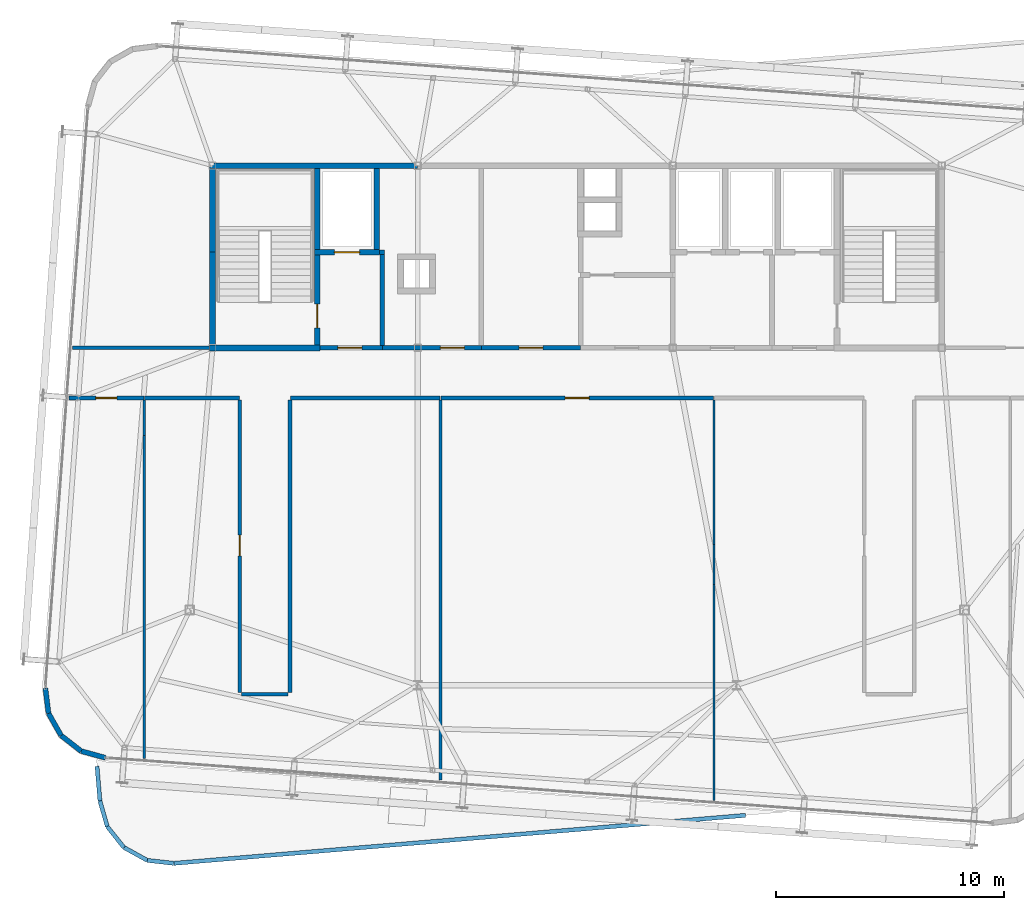
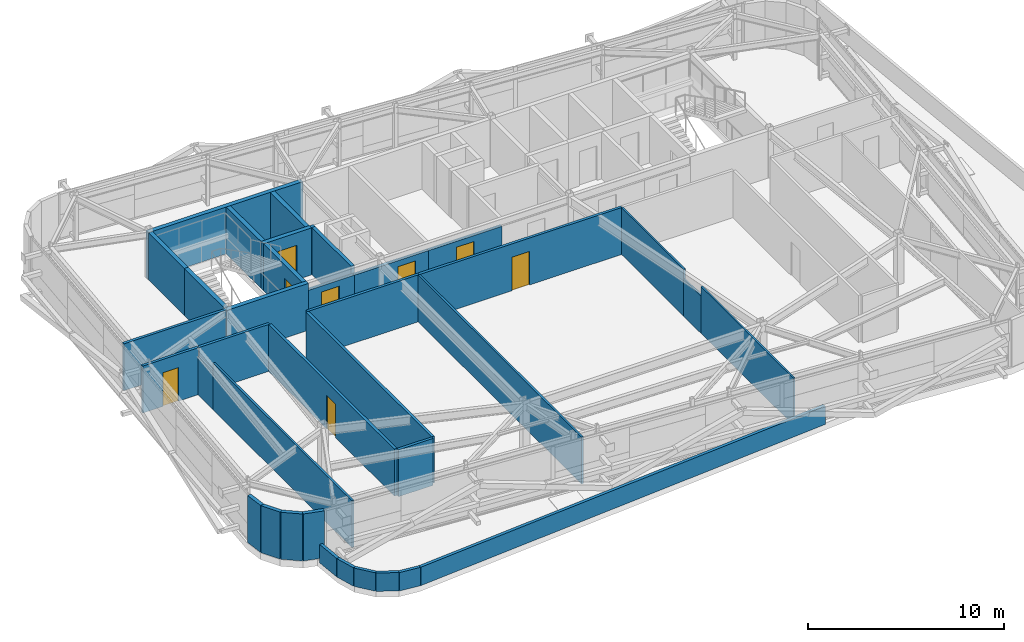
# One storey, part 33 of 37: 37 walls, 8 doors, 8 openings.
"""IFC4 building model written with IfcOpenShell, lengths in metres."""

from ifc_helpers import new_model, si_unit, direction, frame, frame_2d, origin, place, context, subcontext, project, spatial, rectangle, extrude, source, transform, mapped, material, layer, layer_set, type_object, element, fill, save


model = new_model("IFC4")

# Units and contexts
model_context = context("Model", 3, precision=1e-05, world=origin(), true_north=direction((0.0, 1.0)))
body_context = subcontext(model_context, "Body", "Model", "MODEL_VIEW")
ifc_project = project(units=[si_unit("LENGTHUNIT", "METRE"), si_unit("AREAUNIT", "SQUARE_METRE"), si_unit("VOLUMEUNIT", "CUBIC_METRE"), si_unit("PLANEANGLEUNIT", "RADIAN"), si_unit("MASSUNIT", "GRAM", prefix="KILO")], contexts=[model_context])

# Site, building, storey
site_placement = place(None, origin())
site = spatial("IfcSite", under=ifc_project, at=site_placement, CompositionType="ELEMENT")
building_placement = place(site_placement, origin())
building = spatial("IfcBuilding", under=site, at=building_placement, Name="Taldren Reach Tower", CompositionType="ELEMENT")
storey_placement = place(building_placement, frame((0.0, 0.0, 211.39990234375)))
storey = spatial("IfcBuildingStorey", under=building, at=storey_placement, Name="L64", CompositionType="ELEMENT", Elevation=211.39990234375)

# Walls
ifc_material_1 = material(Name="Pale Champagne Anodised Aluminium Cladding", Category="aluminium")
ifc_layer_1 = layer(ifc_material_1, 0.04, Name="Pale Champagne Anodised Aluminium Cladding", Category="aluminium")
ifc_material_2 = material(Name="Mineral Wool Acoustic Insulation", Category="insulation")
ifc_layer_2 = layer(ifc_material_2, 0.06, Name="Mineral Wool Acoustic Insulation", Category="insulation")
ifc_material_3 = material(Name="Steel Gr 350 (C350L0)", Category="steel")
ifc_layer_3 = layer(ifc_material_3, 0.12, Name="Steel Gr 350 (C350L0)", Category="steel")
ifc_layer_set_1 = layer_set([ifc_layer_1, ifc_layer_2, ifc_layer_3], Name="Pale Champagne Aluminium Cladding and Steel Gr 350 Stud Framing")
wall_type_1 = type_object("IfcWallType", Name="EW-CRN-220", PredefinedType="SOLIDWALL", material=ifc_layer_set_1)
shared_shape_1 = source(origin(), body_context, "Body", "SweptSolid", [
    extrude(rectangle(XDim=1.115966796875, YDim=0.219970703125, at=frame_2d((0.55810546875, 0.0))), origin(), (0.0, 0.0, 1.0), 2.93017578125),
])
for number, where, z_axis, x_axis, name in (
    (1, (11.66259765625, 9.072021484375, 0.0), (0.0, 0.0, 1.0), (0.122742076028, -0.992438604032, 0.0), "Rounded-corner pale-metal facade wall L64-SW1"),
    (2, (11.799560546875, 7.964599609375, 0.0), (0.0, 0.0, 1.0), (0.493073284892, -0.869987779067, 0.0), "Rounded-corner pale-metal facade wall L64-SW2"),
    (3, (12.349853515625, 6.99365234375, 0.0), (0.0, 0.0, 1.0), (0.788597772321, -0.614909386406, 0.0), "Rounded-corner pale-metal facade wall L64-SW3"),
):
    element("IfcWall", number, at=place(storey_placement, frame(where, z_axis=z_axis, x_axis=x_axis)), inside=storey, type_object=wall_type_1, Name=name, PredefinedType="SOLIDWALL", context=body_context, shape_type="MappedRepresentation", body=[
        mapped(shared_shape_1, transform((0.0, 0.0, 0.0), scale=1.0)),
    ])
shared_shape_2 = source(origin(), body_context, "Body", "SweptSolid", [
    extrude(rectangle(XDim=1.11572265625, YDim=0.219970703125, at=frame_2d((0.557861328125, 0.0))), origin(), (0.0, 0.0, 1.0), 2.93017578125),
])
wall_1_placement = place(storey_placement, frame((13.22998046875, 6.307373046875, 0.0), z_axis=(0.0, 0.0, 1.0), x_axis=(0.963890028874, -0.266300605026, 0.0)))
element("IfcWall", 4, at=wall_1_placement, inside=storey, type_object=wall_type_1, Name="Rounded-corner pale-metal facade wall L64-SW4", PredefinedType="SOLIDWALL", context=body_context, shape_type="MappedRepresentation", body=[
    mapped(shared_shape_2, transform((0.0, 0.0, 0.0), scale=1.0)),
])
ifc_layer_4 = layer(ifc_material_1, 0.03, Name="Pale Champagne Anodised Aluminium Cladding", Category="aluminium")
ifc_material_4 = material(Name="Concrete N40 (40 MPa)", Category="concrete")
ifc_layer_5 = layer(ifc_material_4, 0.15, Name="Concrete N40 (40 MPa)", Category="concrete")
ifc_layer_set_2 = layer_set([ifc_layer_4, ifc_layer_5], Name="Pale Champagne Aluminium Coping and Concrete 40 MPa (N40) Parapet")
wall_type_2 = type_object("IfcWallType", Name="EW-PAR-180", PredefinedType="PARAPET", material=ifc_layer_set_2)
shared_shape_3 = source(origin(), body_context, "Body", "SweptSolid", [
    extrude(rectangle(XDim=1.17041015625, YDim=0.179931640625, at=frame_2d((0.585205078125, 0.0))), origin(), (0.0, 0.0, 1.0), 1.150146484375),
])
wall_2_placement = place(storey_placement, frame((17.296875, 1.37939453125, 0.0), z_axis=(0.0, 0.0, 1.0), x_axis=(-0.993660444097, 0.112422959565, 0.0)))
element("IfcWall", 5, at=wall_2_placement, inside=storey, type_object=wall_type_2, Name="Setback planter parapet wall L64-2.6", PredefinedType="PARAPET", context=body_context, shape_type="MappedRepresentation", body=[
    mapped(shared_shape_3, transform((0.0, 0.0, 0.0), scale=1.0)),
])
shared_shape_4 = source(origin(), body_context, "Body", "SweptSolid", [
    extrude(rectangle(XDim=1.170654296875, YDim=0.179931640625, at=frame_2d((0.58544921875, 0.0))), origin(), (0.0, 0.0, 1.0), 1.150146484375),
])
for number, where, z_axis, x_axis, name in (
    (6, (16.1337890625, 1.510986328125, 0.0), (0.0, 0.0, 1.0), (-0.875139280249, 0.483871098708, 0.0), "Setback planter parapet wall L64-2.1"),
    (7, (15.109375, 2.077392578125, 0.0), (0.0, 0.0, 1.0), (-0.623167829012, 0.782088138821, 0.0), "Setback planter parapet wall L64-2.2"),
    (8, (14.3798828125, 2.992919921875, 0.0), (0.0, 0.0, 1.0), (-0.276345952673, 0.961058226353, 0.0), "Setback planter parapet wall L64-2.3"),
):
    element("IfcWall", number, at=place(storey_placement, frame(where, z_axis=z_axis, x_axis=x_axis)), inside=storey, type_object=wall_type_2, Name=name, PredefinedType="PARAPET", context=body_context, shape_type="MappedRepresentation", body=[
        mapped(shared_shape_4, transform((0.0, 0.0, 0.0), scale=1.0)),
    ])
shared_shape_5 = source(origin(), body_context, "Body", "SweptSolid", [
    extrude(rectangle(XDim=1.52734375, YDim=0.179931640625, at=frame_2d((0.763671875, 0.0))), origin(), (0.0, 0.0, 1.0), 1.150146484375),
])
wall_3_placement = place(storey_placement, frame((14.056396484375, 4.117919921875, 0.0), z_axis=(0.0, 0.0, 1.0), x_axis=(-0.083759809087, 0.996485972998, 0.0)))
element("IfcWall", 9, at=wall_3_placement, inside=storey, type_object=wall_type_2, Name="Setback planter parapet wall L64-2.4", PredefinedType="PARAPET", context=body_context, shape_type="MappedRepresentation", body=[
    mapped(shared_shape_5, transform((0.0, 0.0, 0.0), scale=1.0)),
])
shared_shape_6 = source(origin(), body_context, "Body", "SweptSolid", [
    extrude(rectangle(XDim=25.181884765625, YDim=0.179931640625, at=frame_2d((12.5908203125, 0.0))), origin(), (0.0, 0.0, 1.0), 1.150146484375),
])
wall_4_placement = place(storey_placement, frame((42.390380859375, 3.486572265625, 0.0), z_axis=(0.0, 0.0, 1.0), x_axis=(-0.996492802382, -0.083678520547, 0.0)))
element("IfcWall", 10, at=wall_4_placement, inside=storey, type_object=wall_type_2, Name="Setback planter parapet wall L64-2.5", PredefinedType="PARAPET", context=body_context, shape_type="MappedRepresentation", body=[
    mapped(shared_shape_6, transform((0.0, 0.0, 0.0), scale=1.0)),
])

# Wall, opening, door
ifc_material_5 = material(Name="Concrete S50 (50 MPa)", Category="concrete")
ifc_layer_6 = layer(ifc_material_5, 0.199951171875)
ifc_layer_set_3 = layer_set([ifc_layer_6], Name="Concrete S50 (50 MPa)")
wall_type_3 = type_object("IfcWallType", Name="IW-CORE-200", PredefinedType="SOLIDWALL", material=ifc_layer_set_3)
shared_shape_7 = source(origin(), body_context, "Body", "SweptSolid", [
    extrude(rectangle(XDim=4.35009765625, YDim=0.199951171875, at=frame_2d((2.175048828125, 0.0))), origin(), (0.0, 0.0, 1.0), 2.47021484375),
])
wall_5_placement = place(storey_placement, frame((30.800048828125, 24.0, 0.0), z_axis=(0.0, 0.0, 1.0), x_axis=(-1.0, 0.0, 0.0)))
wall_5 = element("IfcWall", 11, at=wall_5_placement, inside=storey, type_object=wall_type_3, Name="Rear Core Shear Wall W-INT-L64-033", PredefinedType="SOLIDWALL", context=body_context, shape_type="MappedRepresentation", body=[
    mapped(shared_shape_7, transform((0.0, 0.0, 0.0), scale=1.0)),
])
shared_shape_8 = source(origin(), body_context, "Body", "SweptSolid", [
    extrude(rectangle(XDim=1.050048828125, YDim=2.10009765625, at=frame_2d((0.52490234375, 1.050048828125))), frame((0.0, 0.10986328125, 0.0), z_axis=(0.0, -1.0, 0.0), x_axis=(1.0, 0.0, 0.0)), (0.0, 0.0, 1.0), 0.219970703125),
])
opening_1_placement = place(wall_5_placement, frame((0.75, 0.0, 0.0)))
opening_1 = element("IfcOpeningElement", 12, at=opening_1_placement, cuts=wall_5, Name="Opening DF-105", PredefinedType="OPENING", context=body_context, shape_type="MappedRepresentation", body=[
    mapped(shared_shape_8, transform((0.0, 0.0, 0.0), scale=1.0)),
])
ifc_material_6 = material(Name="Fire-Rated Care and Stair Exit Door")
door_type_1 = type_object("IfcDoorType", Name="ID-FIRE-105", OperationType="NOTDEFINED", PredefinedType="DOOR", material=ifc_material_6)
shared_shape_9 = source(origin(), body_context, "Body", "SweptSolid", [
    extrude(rectangle(XDim=1.050048828125, YDim=2.10009765625, at=frame_2d((0.52490234375, 1.050048828125))), frame((0.0, 0.02490234375, 0.0), z_axis=(0.0, -1.0, 0.0), x_axis=(1.0, 0.0, 0.0)), (0.0, 0.0, 1.0), 0.050048828125),
])
door_1_placement = place(opening_1_placement, frame((1.050048828125, 0.0, 0.0), z_axis=(0.0, 0.0, 1.0), x_axis=(-1.0, 0.0, 0.0)))
door_1 = element("IfcDoor", 13, at=door_1_placement, inside=storey, type_object=door_type_1, Name="Interior Door DR-L64-006", OperationType="SINGLE_SWING_RIGHT", OverallHeight=2.10009765625, OverallWidth=1.050048828125, PredefinedType="DOOR", context=body_context, shape_type="MappedRepresentation", body=[
    mapped(shared_shape_9, transform((0.0, 0.0, 0.0), scale=1.0)),
])
fill(opening_1, door_1)

# Wall
ifc_material_7 = material(Name="Fire-Rated Acoustic Plasterboard Stud Wall", Category="gypsum")
ifc_layer_7 = layer(ifc_material_7, 0.159912109375)
ifc_layer_set_4 = layer_set([ifc_layer_7], Name="Fire-Rated Acoustic Plasterboard Stud Wall")
wall_type_4 = type_object("IfcWallType", Name="IW-FIRE-160", PredefinedType="PARTITIONING", material=ifc_layer_set_4)
shared_shape_10 = source(origin(), body_context, "Body", "SweptSolid", [
    extrude(rectangle(XDim=2.0400390625, YDim=0.159912109375, at=frame_2d((1.02001953125, 0.0))), origin(), (0.0, 0.0, 1.0), 2.93017578125),
])
wall_6_placement = place(storey_placement, frame((22.320068359375, 8.800048828125, 0.0), z_axis=(0.0, 0.0, 1.0), x_axis=(-1.0, 0.0, 0.0)))
element("IfcWall", 14, at=wall_6_placement, inside=storey, type_object=wall_type_4, Name="Interior Partition Wall W-INT-L64-044", PredefinedType="PARTITIONING", context=body_context, shape_type="MappedRepresentation", body=[
    mapped(shared_shape_10, transform((0.0, 0.0, 0.0), scale=1.0)),
])

# Wall, opening, door
shared_shape_11 = source(origin(), body_context, "Body", "SweptSolid", [
    extrude(rectangle(XDim=11.95947265625, YDim=0.159912109375, at=frame_2d((5.979736328125, 0.0))), origin(), (0.0, 0.0, 1.0), 2.93017578125),
])
wall_7_placement = place(storey_placement, frame((40.979736328125, 21.800048828125, 0.0), z_axis=(0.0, 0.0, 1.0), x_axis=(-1.0, 0.0, 0.0)))
wall_7 = element("IfcWall", 15, at=wall_7_placement, inside=storey, type_object=wall_type_4, Name="Interior Partition Wall W-INT-L64-045", PredefinedType="PARTITIONING", context=body_context, shape_type="MappedRepresentation", body=[
    mapped(shared_shape_11, transform((0.0, 0.0, 0.0), scale=1.0)),
])
shared_shape_12 = source(origin(), body_context, "Body", "SweptSolid", [
    extrude(rectangle(XDim=1.050048828125, YDim=2.10009765625, at=frame_2d((0.52490234375, 1.050048828125))), frame((0.0, 0.08984375, 0.0), z_axis=(0.0, -1.0, 0.0), x_axis=(1.0, 0.0, 0.0)), (0.0, 0.0, 1.0), 0.179931640625),
])
opening_2_placement = place(wall_7_placement, frame((5.45458984375, 0.0, 0.0)))
opening_2 = element("IfcOpeningElement", 16, at=opening_2_placement, cuts=wall_7, Name="Opening DF-105", PredefinedType="OPENING", context=body_context, shape_type="MappedRepresentation", body=[
    mapped(shared_shape_12, transform((0.0, 0.0, 0.0), scale=1.0)),
])
door_2_placement = place(opening_2_placement, origin())
door_2 = element("IfcDoor", 17, at=door_2_placement, inside=storey, type_object=door_type_1, Name="Interior Door DR-L64-012", OperationType="SINGLE_SWING_LEFT", OverallHeight=2.10009765625, OverallWidth=1.050048828125, PredefinedType="DOOR", context=body_context, shape_type="MappedRepresentation", body=[
    mapped(shared_shape_9, transform((0.0, 0.0, 0.0), scale=1.0)),
])
fill(opening_2, door_2)

# Walls
shared_shape_13 = source(origin(), body_context, "Body", "SweptSolid", [
    extrude(rectangle(XDim=4.0, YDim=0.199951171875, at=frame_2d((2.0, 0.0))), origin(), (0.0, 0.0, 1.0), 2.93017578125),
])
wall_8_placement = place(storey_placement, frame((26.449951171875, 24.10009765625, 0.0), z_axis=(0.0, 0.0, 1.0), x_axis=(0.0, 1.0, 0.0)))
element("IfcWall", 18, at=wall_8_placement, inside=storey, type_object=wall_type_3, Name="Rear Core Shear Wall W-INT-L64-006", PredefinedType="SOLIDWALL", context=body_context, shape_type="MappedRepresentation", body=[
    mapped(shared_shape_13, transform((0.0, 0.0, 0.0), scale=1.0)),
])
ifc_material_8 = material(Name="Concrete S65 (65 MPa)", Category="concrete")
ifc_layer_8 = layer(ifc_material_8, 0.25)
ifc_layer_set_5 = layer_set([ifc_layer_8], Name="Concrete S65 (65 MPa)")
wall_type_5 = type_object("IfcWallType", Name="IW-CORE-250", PredefinedType="SHEAR", material=ifc_layer_set_5)
shared_shape_14 = source(origin(), body_context, "Body", "SweptSolid", [
    extrude(rectangle(XDim=9.125, YDim=0.25, at=frame_2d((4.5625, 0.0))), origin(), (0.0, 0.0, 1.0), 2.93017578125),
])
wall_9_placement = place(storey_placement, frame((18.875, 32.0, 0.0), z_axis=(0.0, 0.0, 1.0), x_axis=(1.0, 0.0, 0.0)))
element("IfcWall", 19, at=wall_9_placement, inside=storey, type_object=wall_type_5, Name="Rear Core Shear Wall W-CORE-L64-NORTH1", PredefinedType="SHEAR", context=body_context, shape_type="MappedRepresentation", body=[
    mapped(shared_shape_14, transform((0.0, 0.0, 0.0), scale=1.0)),
])
shared_shape_15 = source(origin(), body_context, "Body", "SweptSolid", [
    extrude(rectangle(XDim=4.074951171875, YDim=0.25, at=frame_2d((2.03759765625, 0.0))), origin(), (0.0, 0.0, 1.0), 2.93017578125),
])
wall_10_placement = place(storey_placement, frame((19.0, 24.125, 0.0), z_axis=(0.0, 0.0, 1.0), x_axis=(0.0, 1.0, 0.0)))
element("IfcWall", 20, at=wall_10_placement, inside=storey, type_object=wall_type_5, Name="Rear Core Shear Wall W-CORE-L64-WEST1", PredefinedType="SHEAR", context=body_context, shape_type="MappedRepresentation", body=[
    mapped(shared_shape_15, transform((0.0, 0.0, 0.0), scale=1.0)),
])
shared_shape_16 = source(origin(), body_context, "Body", "SweptSolid", [
    extrude(rectangle(XDim=3.675048828125, YDim=0.25, at=frame_2d((1.83740234375, 0.0))), origin(), (0.0, 0.0, 1.0), 2.93017578125),
])
wall_11_placement = place(storey_placement, frame((19.0, 28.199951171875, 0.0), z_axis=(0.0, 0.0, 1.0), x_axis=(0.0, 1.0, 0.0)))
element("IfcWall", 21, at=wall_11_placement, inside=storey, type_object=wall_type_5, Name="Rear Core Shear Wall W-CORE-L64-WEST2", PredefinedType="SHEAR", context=body_context, shape_type="MappedRepresentation", body=[
    mapped(shared_shape_16, transform((0.0, 0.0, 0.0), scale=1.0)),
])
shared_shape_17 = source(origin(), body_context, "Body", "SweptSolid", [
    extrude(rectangle(XDim=3.550048828125, YDim=0.25, at=frame_2d((1.77490234375, 0.0))), origin(), (0.0, 0.0, 1.0), 2.93017578125),
])
for number, where, z_axis, x_axis, name in (
    (22, (23.60009765625, 28.324951171875, 0.0), (0.0, 0.0, 1.0), (0.0, 1.0, 0.0), "Rear Core Shear Wall W-INT-L64-001"),
    (23, (26.199951171875, 28.324951171875, 0.0), (0.0, 0.0, 1.0), (0.0, 1.0, 0.0), "Rear Core Shear Wall W-INT-L64-005"),
):
    element("IfcWall", number, at=place(storey_placement, frame(where, z_axis=z_axis, x_axis=x_axis)), inside=storey, type_object=wall_type_5, Name=name, PredefinedType="SHEAR", context=body_context, shape_type="MappedRepresentation", body=[
        mapped(shared_shape_17, transform((0.0, 0.0, 0.0), scale=1.0)),
    ])

# Wall, opening, door
shared_shape_18 = source(origin(), body_context, "Body", "SweptSolid", [
    extrude(rectangle(XDim=3.949951171875, YDim=0.25, at=frame_2d((1.97509765625, 0.0))), origin(), (0.0, 0.0, 1.0), 2.93017578125),
])
wall_12_placement = place(storey_placement, frame((23.60009765625, 24.125, 0.0), z_axis=(0.0, 0.0, 1.0), x_axis=(0.0, 1.0, 0.0)))
wall_12 = element("IfcWall", 24, at=wall_12_placement, inside=storey, type_object=wall_type_5, Name="Rear Core Shear Wall W-INT-L64-002", PredefinedType="SHEAR", context=body_context, shape_type="MappedRepresentation", body=[
    mapped(shared_shape_18, transform((0.0, 0.0, 0.0), scale=1.0)),
])
shared_shape_19 = source(origin(), body_context, "Body", "SweptSolid", [
    extrude(rectangle(XDim=1.050048828125, YDim=2.10009765625, at=frame_2d((0.52490234375, 1.050048828125))), frame((0.0, 0.135009765625, 0.0), z_axis=(0.0, -1.0, 0.0), x_axis=(1.0, 0.0, 0.0)), (0.0, 0.0, 1.0), 0.27001953125),
])
opening_3_placement = place(wall_12_placement, frame((0.75, 0.0, 0.0)))
opening_3 = element("IfcOpeningElement", 25, at=opening_3_placement, cuts=wall_12, Name="Opening DF-105", PredefinedType="OPENING", context=body_context, shape_type="MappedRepresentation", body=[
    mapped(shared_shape_19, transform((0.0, 0.0, 0.0), scale=1.0)),
])
door_3_placement = place(opening_3_placement, origin())
door_3 = element("IfcDoor", 26, at=door_3_placement, inside=storey, type_object=door_type_1, Name="Fire Exit Stair Door DR-L64-001", OperationType="SINGLE_SWING_LEFT", OverallHeight=2.10009765625, OverallWidth=1.050048828125, PredefinedType="DOOR", context=body_context, shape_type="MappedRepresentation", body=[
    mapped(shared_shape_9, transform((0.0, 0.0, 0.0), scale=1.0)),
])
fill(opening_3, door_3)

# Wall
shared_shape_20 = source(origin(), body_context, "Body", "SweptSolid", [
    extrude(rectangle(XDim=4.85009765625, YDim=0.25, at=frame_2d((2.425048828125, 0.0))), origin(), (0.0, 0.0, 1.0), 2.93017578125),
])
wall_13_placement = place(storey_placement, frame((18.875, 24.0, 0.0), z_axis=(0.0, 0.0, 1.0), x_axis=(1.0, 0.0, 0.0)))
element("IfcWall", 27, at=wall_13_placement, inside=storey, type_object=wall_type_5, Name="Rear Core Shear Wall W-INT-L64-003", PredefinedType="SHEAR", context=body_context, shape_type="MappedRepresentation", body=[
    mapped(shared_shape_20, transform((0.0, 0.0, 0.0), scale=1.0)),
])

# Wall, opening, door
shared_shape_21 = source(origin(), body_context, "Body", "SweptSolid", [
    extrude(rectangle(XDim=2.849853515625, YDim=0.25, at=frame_2d((1.4248046875, 0.0))), origin(), (0.0, 0.0, 1.0), 2.93017578125),
])
wall_14_placement = place(storey_placement, frame((23.47509765625, 28.199951171875, 0.0), z_axis=(0.0, 0.0, 1.0), x_axis=(1.0, 0.0, 0.0)))
wall_14 = element("IfcWall", 28, at=wall_14_placement, inside=storey, type_object=wall_type_5, Name="Rear Core Shear Wall W-INT-L64-004", PredefinedType="SHEAR", context=body_context, shape_type="MappedRepresentation", body=[
    mapped(shared_shape_21, transform((0.0, 0.0, 0.0), scale=1.0)),
])
shared_shape_22 = source(origin(), body_context, "Body", "SweptSolid", [
    extrude(rectangle(XDim=1.10009765625, YDim=2.14990234375, at=frame_2d((0.550048828125, 1.074951171875))), frame((0.0, 0.135009765625, 0.0), z_axis=(0.0, -1.0, 0.0), x_axis=(1.0, 0.0, 0.0)), (0.0, 0.0, 1.0), 0.27001953125),
])
opening_4_placement = place(wall_14_placement, frame((0.875, 0.0, 0.0)))
opening_4 = element("IfcOpeningElement", 29, at=opening_4_placement, cuts=wall_14, Name="Opening LD-FL1", PredefinedType="OPENING", context=body_context, shape_type="MappedRepresentation", body=[
    mapped(shared_shape_22, transform((0.0, 0.0, 0.0), scale=1.0)),
])
ifc_material_9 = material(Name="Stainless Steel Gr 316 Emergency Lift Landing Door", Category="steel")
door_type_2 = type_object("IfcDoorType", Name="LD-EMG-110", OperationType="SLIDING_TO_LEFT", PredefinedType="DOOR", material=ifc_material_9)
shared_shape_23 = source(origin(), body_context, "Body", "SweptSolid", [
    extrude(rectangle(XDim=1.10009765625, YDim=2.14990234375, at=frame_2d((0.550048828125, 1.074951171875))), frame((0.0, 0.02490234375, 0.0), z_axis=(0.0, -1.0, 0.0), x_axis=(1.0, 0.0, 0.0)), (0.0, 0.0, 1.0), 0.050048828125),
])
door_4_placement = place(opening_4_placement, origin())
door_4 = element("IfcDoor", 30, at=door_4_placement, inside=storey, type_object=door_type_2, Name="Lift Landing Door LD-FL1-L64", OperationType="SLIDING_TO_LEFT", OverallHeight=2.14990234375, OverallWidth=1.10009765625, PredefinedType="DOOR", context=body_context, shape_type="MappedRepresentation", body=[
    mapped(shared_shape_23, transform((0.0, 0.0, 0.0), scale=1.0)),
])
fill(opening_4, door_4)

shared_shape_24 = source(origin(), body_context, "Body", "SweptSolid", [
    extrude(rectangle(XDim=2.724853515625, YDim=0.199951171875, at=frame_2d((1.3623046875, 0.0))), origin(), (0.0, 0.0, 1.0), 2.47021484375),
])
wall_15_placement = place(storey_placement, frame((23.72509765625, 24.0, 0.0), z_axis=(0.0, 0.0, 1.0), x_axis=(1.0, 0.0, 0.0)))
wall_15 = element("IfcWall", 31, at=wall_15_placement, inside=storey, type_object=wall_type_3, Name="Rear Core Shear Wall W-INT-L64-007", PredefinedType="SOLIDWALL", context=body_context, shape_type="MappedRepresentation", body=[
    mapped(shared_shape_24, transform((0.0, 0.0, 0.0), scale=1.0)),
])
opening_5_placement = place(wall_15_placement, frame((0.77490234375, 0.0, 0.0)))
opening_5 = element("IfcOpeningElement", 32, at=opening_5_placement, cuts=wall_15, Name="Opening DF-105", PredefinedType="OPENING", context=body_context, shape_type="MappedRepresentation", body=[
    mapped(shared_shape_8, transform((0.0, 0.0, 0.0), scale=1.0)),
])
door_5_placement = place(opening_5_placement, origin())
door_5 = element("IfcDoor", 33, at=door_5_placement, inside=storey, type_object=door_type_1, Name="Interior Door DR-L64-002", OperationType="SINGLE_SWING_LEFT", OverallHeight=2.10009765625, OverallWidth=1.050048828125, PredefinedType="DOOR", context=body_context, shape_type="MappedRepresentation", body=[
    mapped(shared_shape_9, transform((0.0, 0.0, 0.0), scale=1.0)),
])
fill(opening_5, door_5)

shared_shape_25 = source(origin(), body_context, "Body", "SweptSolid", [
    extrude(rectangle(XDim=12.840087890625, YDim=0.159912109375, at=frame_2d((6.419921875, 0.0))), origin(), (0.0, 0.0, 1.0), 2.93017578125),
])
wall_16_placement = place(storey_placement, frame((20.199951171875, 8.8798828125, 0.0), z_axis=(0.0, 0.0, 1.0), x_axis=(0.0, 1.0, 0.0)))
wall_16 = element("IfcWall", 34, at=wall_16_placement, inside=storey, type_object=wall_type_4, Name="Interior Partition Wall W-INT-L64-040", PredefinedType="PARTITIONING", context=body_context, shape_type="MappedRepresentation", body=[
    mapped(shared_shape_25, transform((0.0, 0.0, 0.0), scale=1.0)),
])
shared_shape_26 = source(origin(), body_context, "Body", "SweptSolid", [
    extrude(rectangle(XDim=0.919921875, YDim=2.10009765625, at=frame_2d((0.4599609375, 1.050048828125))), frame((0.0, 0.08984375, 0.0), z_axis=(0.0, -1.0, 0.0), x_axis=(1.0, 0.0, 0.0)), (0.0, 0.0, 1.0), 0.179931640625),
])
opening_6_placement = place(wall_16_placement, frame((5.98974609375, 0.0, 0.0)))
opening_6 = element("IfcOpeningElement", 35, at=opening_6_placement, cuts=wall_16, Name="Opening DI-092", PredefinedType="OPENING", context=body_context, shape_type="MappedRepresentation", body=[
    mapped(shared_shape_26, transform((0.0, 0.0, 0.0), scale=1.0)),
])
ifc_material_10 = material(Name="Solid-Core Timber Suite Door", Category="wood")
door_type_3 = type_object("IfcDoorType", Name="ID-INT-092", OperationType="NOTDEFINED", PredefinedType="DOOR", material=ifc_material_10)
shared_shape_27 = source(origin(), body_context, "Body", "SweptSolid", [
    extrude(rectangle(XDim=0.919921875, YDim=2.10009765625, at=frame_2d((0.4599609375, 1.050048828125))), frame((0.0, 0.02490234375, 0.0), z_axis=(0.0, -1.0, 0.0), x_axis=(1.0, 0.0, 0.0)), (0.0, 0.0, 1.0), 0.050048828125),
])
door_6_placement = place(opening_6_placement, origin())
door_6 = element("IfcDoor", 36, at=door_6_placement, inside=storey, type_object=door_type_3, Name="Interior Door DR-L64-011", OperationType="SINGLE_SWING_RIGHT", OverallHeight=2.10009765625, OverallWidth=0.919921875, PredefinedType="DOOR", context=body_context, shape_type="MappedRepresentation", body=[
    mapped(shared_shape_27, transform((0.0, 0.0, 0.0), scale=1.0)),
])
fill(opening_6, door_6)

# Walls
wall_17_placement = place(storey_placement, frame((22.39990234375, 21.719970703125, 0.0), z_axis=(0.0, 0.0, 1.0), x_axis=(0.0, -1.0, 0.0)))
element("IfcWall", 37, at=wall_17_placement, inside=storey, type_object=wall_type_4, Name="Interior Partition Wall W-INT-L64-041", PredefinedType="PARTITIONING", context=body_context, shape_type="MappedRepresentation", body=[
    mapped(shared_shape_25, transform((0.0, 0.0, 0.0), scale=1.0)),
])
shared_shape_28 = source(origin(), body_context, "Body", "SweptSolid", [
    extrude(rectangle(XDim=0.22509765625, YDim=0.199951171875, at=frame_2d((0.112548828125, 0.0))), origin(), (0.0, 0.0, 1.0), 2.93017578125),
])
wall_18_placement = place(storey_placement, frame((26.324951171875, 28.199951171875, 0.0), z_axis=(0.0, 0.0, 1.0), x_axis=(1.0, 0.0, 0.0)))
element("IfcWall", 38, at=wall_18_placement, inside=storey, type_object=wall_type_3, Name="Rear Core Partition Wall W-INT-L64-058", PredefinedType="SOLIDWALL", context=body_context, shape_type="MappedRepresentation", body=[
    mapped(shared_shape_28, transform((0.0, 0.0, 0.0), scale=1.0)),
])

# Wall, opening, door
shared_shape_29 = source(origin(), body_context, "Body", "SweptSolid", [
    extrude(rectangle(XDim=4.349853515625, YDim=0.199951171875, at=frame_2d((2.1748046875, 0.0))), origin(), (0.0, 0.0, 1.0), 2.47021484375),
])
wall_19_placement = place(storey_placement, frame((35.14990234375, 24.0, 0.0), z_axis=(0.0, 0.0, 1.0), x_axis=(-1.0, 0.0, 0.0)))
wall_19 = element("IfcWall", 39, at=wall_19_placement, inside=storey, type_object=wall_type_3, Name="Rear Core Shear Wall W-INT-L64-036", PredefinedType="SOLIDWALL", context=body_context, shape_type="MappedRepresentation", body=[
    mapped(shared_shape_29, transform((0.0, 0.0, 0.0), scale=1.0)),
])
opening_7_placement = place(wall_19_placement, frame((1.64990234375, 0.0, 0.0)))
opening_7 = element("IfcOpeningElement", 40, at=opening_7_placement, cuts=wall_19, Name="Opening DF-105", PredefinedType="OPENING", context=body_context, shape_type="MappedRepresentation", body=[
    mapped(shared_shape_8, transform((0.0, 0.0, 0.0), scale=1.0)),
])
door_7_placement = place(opening_7_placement, frame((1.050048828125, 0.0, 0.0), z_axis=(0.0, 0.0, 1.0), x_axis=(-1.0, 0.0, 0.0)))
door_7 = element("IfcDoor", 41, at=door_7_placement, inside=storey, type_object=door_type_1, Name="Interior Door DR-L64-007", OperationType="SINGLE_SWING_LEFT", OverallHeight=2.10009765625, OverallWidth=1.050048828125, PredefinedType="DOOR", context=body_context, shape_type="MappedRepresentation", body=[
    mapped(shared_shape_9, transform((0.0, 0.0, 0.0), scale=1.0)),
])
fill(opening_7, door_7)

shared_shape_30 = source(origin(), body_context, "Body", "SweptSolid", [
    extrude(rectangle(XDim=3.286376953125, YDim=0.159912109375, at=frame_2d((1.64306640625, 0.0))), origin(), (0.0, 0.0, 1.0), 2.93017578125),
])
wall_20_placement = place(storey_placement, frame((15.979736328125, 21.800048828125, 0.0), z_axis=(0.0, 0.0, 1.0), x_axis=(-1.0, 0.0, 0.0)))
wall_20 = element("IfcWall", 42, at=wall_20_placement, inside=storey, type_object=wall_type_4, Name="Interior Partition Wall W-INT-L64-039", PredefinedType="PARTITIONING", context=body_context, shape_type="MappedRepresentation", body=[
    mapped(shared_shape_30, transform((0.0, 0.0, 0.0), scale=1.0)),
])
opening_8_placement = place(wall_20_placement, frame((1.18310546875, 0.0, 0.0)))
opening_8 = element("IfcOpeningElement", 43, at=opening_8_placement, cuts=wall_20, Name="Opening DI-092", PredefinedType="OPENING", context=body_context, shape_type="MappedRepresentation", body=[
    mapped(shared_shape_26, transform((0.0, 0.0, 0.0), scale=1.0)),
])
door_8_placement = place(opening_8_placement, origin())
door_8 = element("IfcDoor", 44, at=door_8_placement, inside=storey, type_object=door_type_3, Name="Interior Door DR-L64-010", OperationType="SINGLE_SWING_LEFT", OverallHeight=2.10009765625, OverallWidth=0.919921875, PredefinedType="DOOR", context=body_context, shape_type="MappedRepresentation", body=[
    mapped(shared_shape_27, transform((0.0, 0.0, 0.0), scale=1.0)),
])
fill(opening_8, door_8)

# Walls
shared_shape_31 = source(origin(), body_context, "Body", "SweptSolid", [
    extrude(rectangle(XDim=6.559326171875, YDim=0.159912109375, at=frame_2d((3.27978515625, 0.0))), origin(), (0.0, 0.0, 1.0), 2.93017578125),
])
wall_21_placement = place(storey_placement, frame((28.979736328125, 21.800048828125, 0.0), z_axis=(0.0, 0.0, 1.0), x_axis=(-1.0, 0.0, 0.0)))
element("IfcWall", 45, at=wall_21_placement, inside=storey, type_object=wall_type_4, Name="Interior Partition Wall W-INT-L64-042", PredefinedType="PARTITIONING", context=body_context, shape_type="MappedRepresentation", body=[
    mapped(shared_shape_31, transform((0.0, 0.0, 0.0), scale=1.0)),
])
shared_shape_32 = source(origin(), body_context, "Body", "SweptSolid", [
    extrude(rectangle(XDim=4.159423828125, YDim=0.159912109375, at=frame_2d((2.07958984375, 0.0))), origin(), (0.0, 0.0, 1.0), 2.93017578125),
])
wall_22_placement = place(storey_placement, frame((20.1796875, 21.800048828125, 0.0), z_axis=(0.0, 0.0, 1.0), x_axis=(-1.0, 0.0, 0.0)))
element("IfcWall", 46, at=wall_22_placement, inside=storey, type_object=wall_type_4, Name="Interior Partition Wall W-INT-L64-043", PredefinedType="PARTITIONING", context=body_context, shape_type="MappedRepresentation", body=[
    mapped(shared_shape_32, transform((0.0, 0.0, 0.0), scale=1.0)),
])
shared_shape_33 = source(origin(), body_context, "Body", "SweptSolid", [
    extrude(rectangle(XDim=6.03173828125, YDim=0.159912109375, at=frame_2d((3.015869140625, 0.0))), origin(), (0.0, 0.0, 1.0), 2.93017578125),
])
wall_23_placement = place(storey_placement, frame((12.84326171875, 24.0, 0.0), z_axis=(0.0, 0.0, 1.0), x_axis=(1.0, 0.0, 0.0)))
element("IfcWall", 47, at=wall_23_placement, inside=storey, type_object=wall_type_4, Name="Interior Partition Wall W-INT-L64-053", PredefinedType="PARTITIONING", context=body_context, shape_type="MappedRepresentation", body=[
    mapped(shared_shape_33, transform((0.0, 0.0, 0.0), scale=1.0)),
])
ifc_material_11 = material(Name="Insulated Residential Stud Partition", Category="gypsum")
ifc_layer_9 = layer(ifc_material_11, 0.1201171875)
ifc_layer_set_6 = layer_set([ifc_layer_9], Name="Insulated Residential Stud Partition")
wall_type_6 = type_object("IfcWallType", Name="IW-PART-120", PredefinedType="PARTITIONING", material=ifc_layer_set_6)
shared_shape_34 = source(origin(), body_context, "Body", "SweptSolid", [
    extrude(rectangle(XDim=1.551513671875, YDim=0.1201171875, at=frame_2d((0.77587890625, 0.0))), origin(), (0.0, 0.0, 1.0), 2.397216796875),
])
wall_24_placement = place(storey_placement, frame((16.0, 21.718017578125, 0.0), z_axis=(0.0, 0.0, 1.0), x_axis=(0.0, -1.0, 0.0)))
element("IfcWall", 48, at=wall_24_placement, inside=storey, type_object=wall_type_6, Name="Interior Partition Wall W-INT-L64-054", PredefinedType="PARTITIONING", context=body_context, shape_type="MappedRepresentation", body=[
    mapped(shared_shape_34, transform((0.0, 0.0, 0.0), scale=1.0)),
])
shared_shape_35 = source(origin(), body_context, "Body", "SweptSolid", [
    extrude(rectangle(XDim=14.1826171875, YDim=0.1201171875, at=frame_2d((7.09130859375, 0.0))), origin(), (0.0, 0.0, 1.0), 2.93017578125),
])
wall_25_placement = place(storey_placement, frame((16.0, 20.16650390625, 0.0), z_axis=(0.0, 0.0, 1.0), x_axis=(0.0, -1.0, 0.0)))
element("IfcWall", 49, at=wall_25_placement, inside=storey, type_object=wall_type_6, Name="Interior Partition Wall W-INT-L64-054 part 2", PredefinedType="PARTITIONING", context=body_context, shape_type="MappedRepresentation", body=[
    mapped(shared_shape_35, transform((0.0, 0.0, 0.0), scale=1.0)),
])
shared_shape_36 = source(origin(), body_context, "Body", "SweptSolid", [
    extrude(rectangle(XDim=16.688720703125, YDim=0.1201171875, at=frame_2d((8.34423828125, 0.0))), origin(), (0.0, 0.0, 1.0), 2.93017578125),
])
wall_26_placement = place(storey_placement, frame((29.0, 21.718017578125, 0.0), z_axis=(0.0, 0.0, 1.0), x_axis=(0.0, -1.0, 0.0)))
element("IfcWall", 50, at=wall_26_placement, inside=storey, type_object=wall_type_6, Name="Interior Partition Wall W-INT-L64-055", PredefinedType="PARTITIONING", context=body_context, shape_type="MappedRepresentation", body=[
    mapped(shared_shape_36, transform((0.0, 0.0, 0.0), scale=1.0)),
])
ifc_material_12 = material(Name="Acoustic Operable Folding Partition", Category="metal")
ifc_layer_10 = layer(ifc_material_12, 0.10009765625)
ifc_layer_set_7 = layer_set([ifc_layer_10], Name="Acoustic Operable Folding Partition")
wall_type_7 = type_object("IfcWallType", Name="IW-MOV-100", PredefinedType="MOVABLE", material=ifc_layer_set_7)
shared_shape_37 = source(origin(), body_context, "Body", "SweptSolid", [
    extrude(rectangle(XDim=6.354736328125, YDim=0.10009765625, at=frame_2d((3.17724609375, 0.0))), origin(), (0.0, 0.0, 1.0), 2.93017578125),
])
wall_27_placement = place(storey_placement, frame((41.0, 21.718017578125, 0.0), z_axis=(0.0, 0.0, 1.0), x_axis=(0.0, -1.0, 0.0)))
element("IfcWall", 51, at=wall_27_placement, inside=storey, type_object=wall_type_7, Name="Interior Partition Wall W-INT-L64-056", PredefinedType="MOVABLE", context=body_context, shape_type="MappedRepresentation", body=[
    mapped(shared_shape_37, transform((0.0, 0.0, 0.0), scale=1.0)),
])
shared_shape_38 = source(origin(), body_context, "Body", "SweptSolid", [
    extrude(rectangle(XDim=1.755126953125, YDim=0.10009765625, at=frame_2d((0.87744140625, 0.0))), origin(), (0.0, 0.0, 1.0), 2.328125),
])
wall_28_placement = place(storey_placement, frame((41.0, 15.36328125, 0.0), z_axis=(0.0, 0.0, 1.0), x_axis=(0.0, -1.0, 0.0)))
element("IfcWall", 52, at=wall_28_placement, inside=storey, type_object=wall_type_7, Name="Interior Partition Wall W-INT-L64-056 part 2", PredefinedType="MOVABLE", context=body_context, shape_type="MappedRepresentation", body=[
    mapped(shared_shape_38, transform((0.0, 0.0, 0.0), scale=1.0)),
])
shared_shape_39 = source(origin(), body_context, "Body", "SweptSolid", [
    extrude(rectangle(XDim=9.460205078125, YDim=0.10009765625, at=frame_2d((4.72998046875, 0.0))), origin(), (0.0, 0.0, 1.0), 2.93017578125),
])
wall_29_placement = place(storey_placement, frame((41.0, 13.608154296875, 0.0), z_axis=(0.0, 0.0, 1.0), x_axis=(0.0, -1.0, 0.0)))
element("IfcWall", 53, at=wall_29_placement, inside=storey, type_object=wall_type_7, Name="Interior Partition Wall W-INT-L64-056 part 3", PredefinedType="MOVABLE", context=body_context, shape_type="MappedRepresentation", body=[
    mapped(shared_shape_39, transform((0.0, 0.0, 0.0), scale=1.0)),
])

save(model, "model.ifc")
